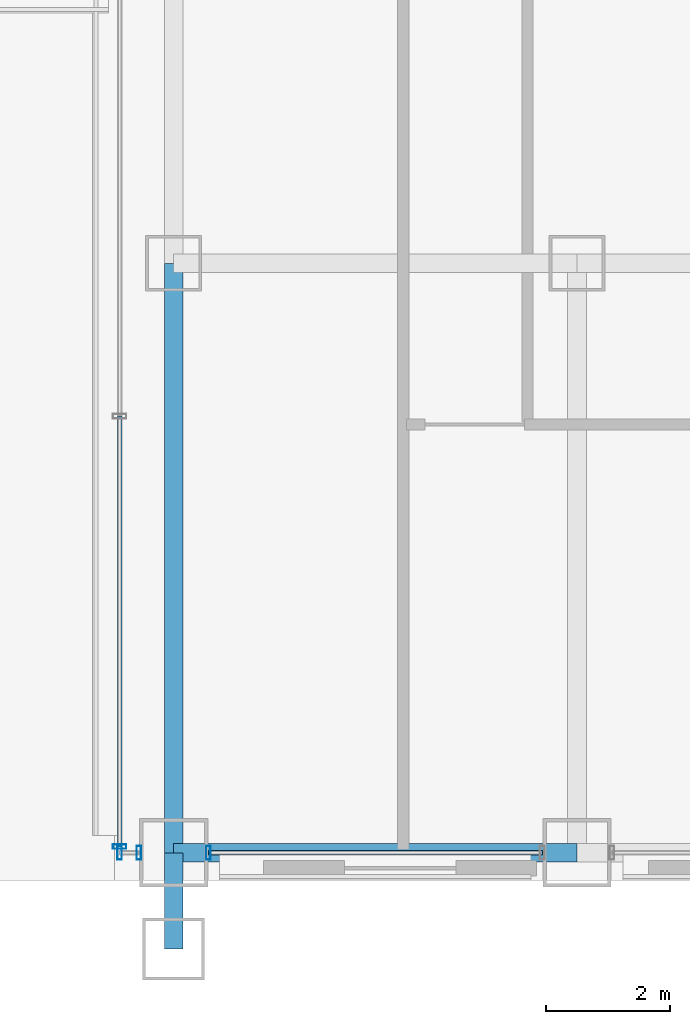
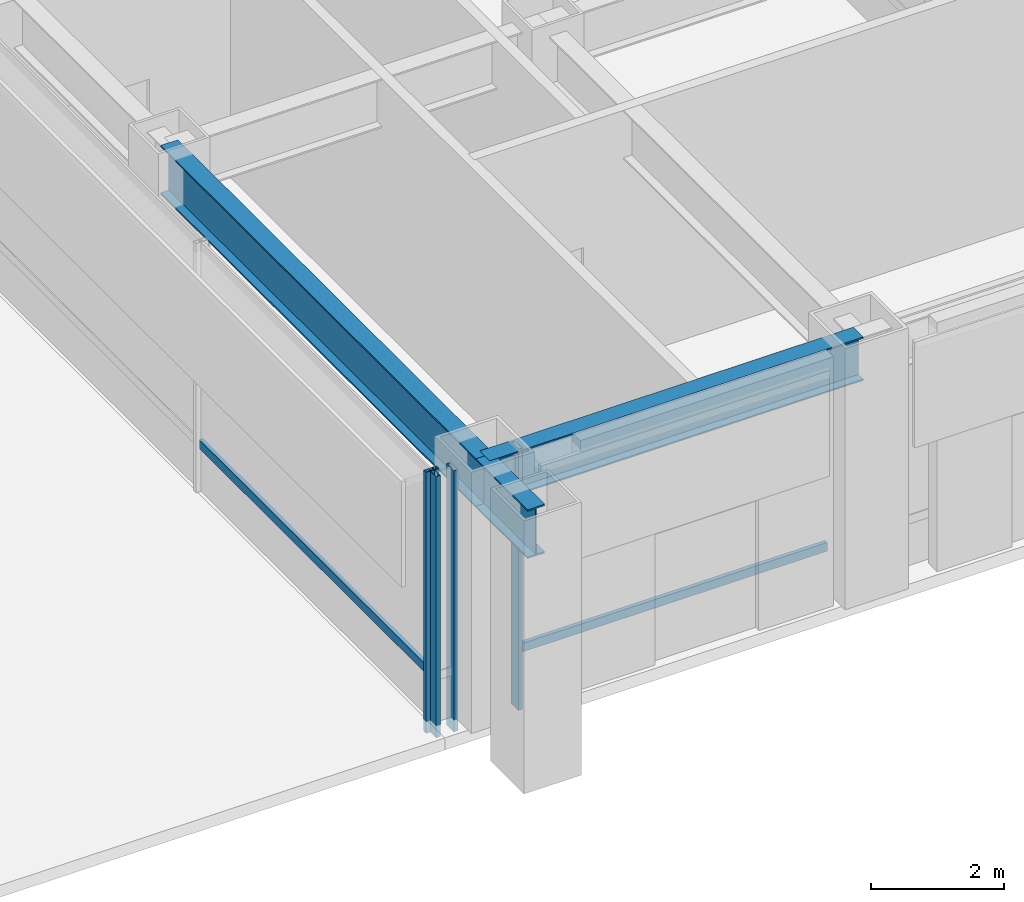
# One storey, part 7 of 37: 6 members, 3 beams, 3 elements without a shape of their own.
"""IFC4 building model written with IfcOpenShell, lengths in metres."""

from ifc_helpers import new_model, si_unit, direction, frame, origin, origin_2d, place, context, subcontext, project, spatial, hollow_rectangle, i_section, extrude, material, layer, layer_set, material_profile, profile_set, type_object, element, aggregate, save


model = new_model("IFC4")

# Units and contexts
model_context = context("Model", 3, precision=1e-05, world=origin(), true_north=direction((0.0, 1.0)))
body_context = subcontext(model_context, "Body", "Model", "MODEL_VIEW")
ifc_project = project(units=[si_unit("LENGTHUNIT", "METRE"), si_unit("AREAUNIT", "SQUARE_METRE"), si_unit("VOLUMEUNIT", "CUBIC_METRE"), si_unit("PLANEANGLEUNIT", "RADIAN"), si_unit("MASSUNIT", "GRAM", prefix="KILO")], contexts=[model_context])

# Site, building, storey
site_placement = place(None, origin())
site = spatial("IfcSite", under=ifc_project, at=site_placement, CompositionType="ELEMENT")
building_placement = place(site_placement, origin())
building = spatial("IfcBuilding", under=site, at=building_placement, Name="Brelmoor Portico Tower", CompositionType="ELEMENT")
storey_placement = place(building_placement, origin())
storey = spatial("IfcBuildingStorey", under=building, at=storey_placement, Name="L00", CompositionType="ELEMENT", Elevation=0.0)

# Beams
ifc_material_1 = material(Name="Steel Q355B", Category="steel")
ifc_material_profile_1 = material_profile(ifc_material_1, i_section(OverallWidth=0.300048828125, OverallDepth=0.89990234375, WebThickness=0.01611328125, FlangeThickness=0.028076171875, at=origin_2d()), Name="HN 900x300x16x28")
ifc_profile_set_1 = profile_set([ifc_material_profile_1], Name="Steel Q355B")
beam_type_1 = type_object("IfcBeamType", Name="BM-PG-900", PredefinedType="BEAM", material=ifc_profile_set_1)
beam_1_placement = place(storey_placement, frame((14.550048828125, -29.10009765625, 4.1298828125), z_axis=(0.0, 1.0, 0.0), x_axis=(-1.0, 0.0, 0.0)))
element("IfcBeam", 1, at=beam_1_placement, inside=storey, type_object=beam_type_1, Name="L00 Primary Floor Girder PG-11", PredefinedType="BEAM", context=body_context, shape_type="SweptSolid", body=[
    extrude(i_section(OverallWidth=0.300048828125, OverallDepth=0.89990234375, WebThickness=0.01611328125, FlangeThickness=0.028076171875, at=origin_2d()), origin(), (0.0, 0.0, 1.0), 1.550048828125),
])
beam_2_placement = place(storey_placement, frame((14.550048828125, -27.550048828125, 4.1298828125), z_axis=(0.0, 1.0, 0.0), x_axis=(-1.0, 0.0, 0.0)))
element("IfcBeam", 2, at=beam_2_placement, inside=storey, type_object=beam_type_1, Name="L00 Primary Floor Girder PG-12", PredefinedType="BEAM", context=body_context, shape_type="SweptSolid", body=[
    extrude(i_section(OverallWidth=0.300048828125, OverallDepth=0.89990234375, WebThickness=0.01611328125, FlangeThickness=0.028076171875, at=origin_2d()), origin(), (0.0, 0.0, 1.0), 9.5),
])
ifc_material_profile_2 = material_profile(ifc_material_1, i_section(OverallWidth=0.300048828125, OverallDepth=0.800048828125, WebThickness=0.013916015625, FlangeThickness=0.02587890625, at=origin_2d()), Name="HN 800x300x14x26")
ifc_profile_set_2 = profile_set([ifc_material_profile_2], Name="Steel Q355B")
beam_type_2 = type_object("IfcBeamType", Name="BM-SP-800", PredefinedType="SPANDREL", material=ifc_profile_set_2)
beam_3_placement = place(storey_placement, frame((14.550048828125, -27.550048828125, 4.179931640625), z_axis=(1.0, 0.0, 0.0), x_axis=(0.0, 1.0, 0.0)))
element("IfcBeam", 3, at=beam_3_placement, inside=storey, type_object=beam_type_2, Name="L00 Perimeter Spandrel Beam SP-03", PredefinedType="SPANDREL", context=body_context, shape_type="SweptSolid", body=[
    extrude(i_section(OverallWidth=0.300048828125, OverallDepth=0.800048828125, WebThickness=0.013916015625, FlangeThickness=0.02587890625, at=origin_2d()), origin(), (0.0, 0.0, 1.0), 6.5),
])

# Curtain wall, members
ifc_material_2 = material(Name="Anodised Aluminium Alloy 6063-T6", Category="aluminium")
ifc_layer = layer(ifc_material_2, 0.179931640625)
ifc_layer_set = layer_set([ifc_layer], Name="Anodised Aluminium Alloy 6063-T6")
curtain_wall_type = type_object("IfcCurtainWallType", Name="CW-PODIUM-ARCH", PredefinedType="NOTDEFINED", material=ifc_layer_set)
curtain_wall_1_placement = place(storey_placement, origin())
curtain_wall_1 = element("IfcCurtainWall", 4, at=curtain_wall_1_placement, inside=storey, type_object=curtain_wall_type, Name="L00 Curtain Wall CW-L00-02-1", PredefinedType="NOTDEFINED")
ifc_material_profile_3 = material_profile(ifc_material_2, hollow_rectangle(XDim=0.074951171875, YDim=0.219970703125, WallThickness=0.0048828125, at=origin_2d()), Name="ALU MULLION 75x220")
ifc_profile_set_3 = profile_set([ifc_material_profile_3], Name="Anodised Aluminium Alloy 6063-T6")
member_type_1 = type_object("IfcMemberType", Name="MB-CW-MULL-220", PredefinedType="MULLION", material=ifc_profile_set_3)
member_1_placement = place(storey_placement, frame((13.679931640625, -27.550048828125, -0.219970703125), z_axis=(0.0, 0.0, 1.0), x_axis=(1.0, 0.0, 0.0)))
member_1 = element("IfcMember", 5, at=member_1_placement, type_object=member_type_1, Name="CW-L00-02-1 Mullion 00", PredefinedType="MULLION", context=body_context, shape_type="SweptSolid", body=[
    extrude(hollow_rectangle(XDim=0.074951171875, YDim=0.219970703125, WallThickness=0.0048828125, at=origin_2d()), origin(), (0.0, 0.0, 1.0), 4.800048828125),
])
member_2_placement = place(storey_placement, frame((13.989990234375, -27.550048828125, -0.219970703125), z_axis=(0.0, 0.0, 1.0), x_axis=(1.0, 0.0, 0.0)))
member_2 = element("IfcMember", 6, at=member_2_placement, type_object=member_type_1, Name="CW-L00-02-1 Mullion 01", PredefinedType="MULLION", context=body_context, shape_type="SweptSolid", body=[
    extrude(hollow_rectangle(XDim=0.074951171875, YDim=0.219970703125, WallThickness=0.0048828125, at=origin_2d()), origin(), (0.0, 0.0, 1.0), 4.800048828125),
])
aggregate(curtain_wall_1, [member_1, member_2])

# Curtain wall, member
curtain_wall_2_placement = place(storey_placement, origin())
curtain_wall_2 = element("IfcCurtainWall", 7, at=curtain_wall_2_placement, inside=storey, type_object=curtain_wall_type, Name="L00 Curtain Wall CW-L00-02-2", PredefinedType="NOTDEFINED")
member_3_placement = place(storey_placement, frame((15.110107421875, -27.550048828125, -0.219970703125), z_axis=(0.0, 0.0, 1.0), x_axis=(1.0, 0.0, 0.0)))
member_3 = element("IfcMember", 8, at=member_3_placement, type_object=member_type_1, Name="CW-L00-02-2 Mullion 00", PredefinedType="MULLION", context=body_context, shape_type="SweptSolid", body=[
    extrude(hollow_rectangle(XDim=0.074951171875, YDim=0.219970703125, WallThickness=0.0048828125, at=origin_2d()), origin(), (0.0, 0.0, 1.0), 4.800048828125),
])

curtain_wall_3_placement = place(storey_placement, origin())
curtain_wall_3 = element("IfcCurtainWall", 9, at=curtain_wall_3_placement, inside=storey, type_object=curtain_wall_type, Name="L00 Curtain Wall CW-L00-08", PredefinedType="NOTDEFINED")
member_4_placement = place(storey_placement, frame((13.679931640625, -27.449951171875, -0.219970703125), z_axis=(0.0, 0.0, 1.0), x_axis=(0.0, 1.0, 0.0)))
member_4 = element("IfcMember", 10, at=member_4_placement, type_object=member_type_1, Name="CW-L00-08 Mullion 00", PredefinedType="MULLION", context=body_context, shape_type="SweptSolid", body=[
    extrude(hollow_rectangle(XDim=0.074951171875, YDim=0.219970703125, WallThickness=0.0048828125, at=origin_2d()), origin(), (0.0, 0.0, 1.0), 4.800048828125),
])

# Member
ifc_material_profile_4 = material_profile(ifc_material_2, hollow_rectangle(XDim=0.070068359375, YDim=0.159912109375, WallThickness=0.00390625, at=origin_2d()), Name="ALU TRANSOM 70x160")
ifc_profile_set_4 = profile_set([ifc_material_profile_4], Name="Anodised Aluminium Alloy 6063-T6")
member_type_2 = type_object("IfcMemberType", Name="MB-CW-TRAN-160", PredefinedType="USERDEFINED", material=ifc_profile_set_4)
member_5_placement = place(storey_placement, frame((15.110107421875, -27.550048828125, 0.85009765625), z_axis=(1.0, 0.0, 0.0), x_axis=(0.0, 1.0, 0.0)))
member_5 = element("IfcMember", 11, at=member_5_placement, type_object=member_type_2, Name="CW-L00-02-2 Transom 1-00", ObjectType="TRANSOM", PredefinedType="USERDEFINED", context=body_context, shape_type="SweptSolid", body=[
    extrude(hollow_rectangle(XDim=0.070068359375, YDim=0.159912109375, WallThickness=0.00390625, at=origin_2d()), origin(), (0.0, 0.0, 1.0), 5.3798828125),
])

aggregate(curtain_wall_2, [member_3, member_5])

member_6_placement = place(storey_placement, frame((13.679931640625, -27.449951171875, 0.85009765625), z_axis=(0.0, 1.0, 0.0), x_axis=(-1.0, 0.0, 0.0)))
member_6 = element("IfcMember", 12, at=member_6_placement, type_object=member_type_2, Name="CW-L00-08 Transom 1-00", ObjectType="TRANSOM", PredefinedType="USERDEFINED", context=body_context, shape_type="SweptSolid", body=[
    extrude(hollow_rectangle(XDim=0.070068359375, YDim=0.159912109375, WallThickness=0.00390625, at=origin_2d()), origin(), (0.0, 0.0, 1.0), 6.93505859375),
])

aggregate(curtain_wall_3, [member_4, member_6])

save(model, "model.ifc")
